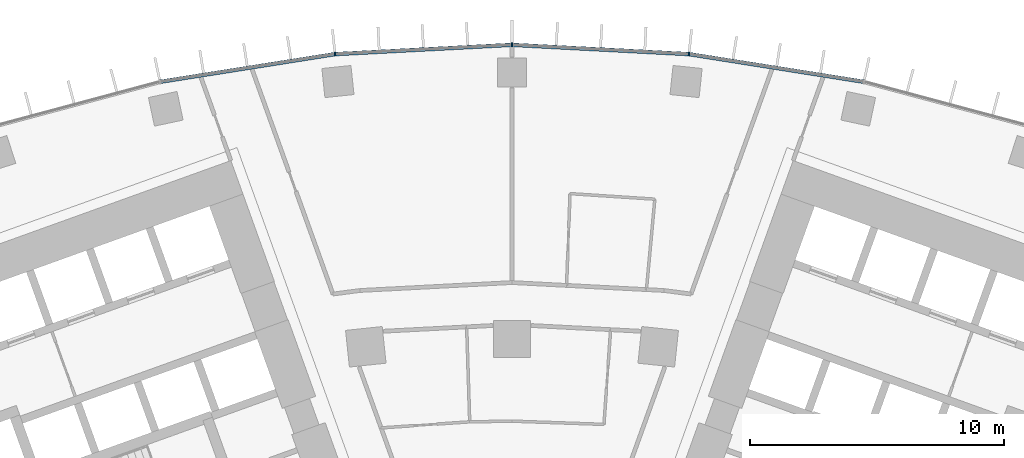
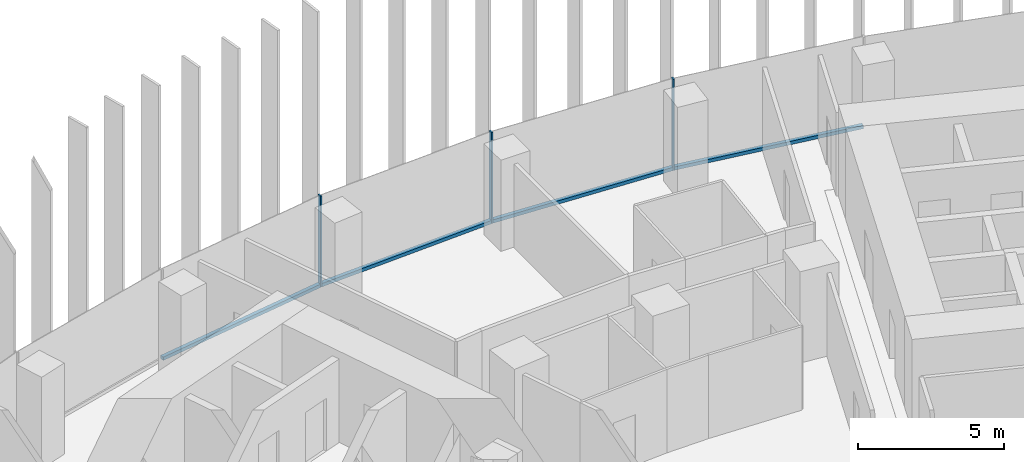
# One storey, part 6 of 21: 7 members, 1 element without a shape of its own.
"""IFC4 building model written with IfcOpenShell, lengths in metres."""

from ifc_helpers import new_model, si_unit, direction, frame, origin, origin_2d, place, context, subcontext, project, spatial, rectangle, extrude, material, layer, layer_set, material_profile, profile_set, type_object, element, aggregate, save


model = new_model("IFC4")

# Units and contexts
model_context = context("Model", 3, precision=1e-05, world=origin(), true_north=direction((0.0, 1.0)))
body_context = subcontext(model_context, "Body", "Model", "MODEL_VIEW")
ifc_project = project(units=[si_unit("LENGTHUNIT", "METRE"), si_unit("AREAUNIT", "SQUARE_METRE"), si_unit("VOLUMEUNIT", "CUBIC_METRE"), si_unit("PLANEANGLEUNIT", "RADIAN"), si_unit("MASSUNIT", "GRAM", prefix="KILO")], contexts=[model_context])

# Site, building, storey
site_placement = place(None, origin())
site = spatial("IfcSite", under=ifc_project, at=site_placement, CompositionType="ELEMENT")
building_placement = place(site_placement, origin())
building = spatial("IfcBuilding", under=site, at=building_placement, Name="Stone Belt Terrace Tower", CompositionType="ELEMENT")
storey_placement = place(building_placement, frame((0.0, 0.0, 87.0)))
storey = spatial("IfcBuildingStorey", under=building, at=storey_placement, Name="L20", CompositionType="ELEMENT", Elevation=87.0)

# Curtain wall, members
ifc_material = material(Name="Aluminium 6063-T6 anodised frame", Category="aluminium")
ifc_layer = layer(ifc_material, 0.14990234375)
ifc_layer_set = layer_set([ifc_layer], Name="CW-A unitised convex-face curtain wall")
curtain_wall_type = type_object("IfcCurtainWallType", Name="CW-A unitised convex-face curtain wall", PredefinedType="NOTDEFINED", material=ifc_layer_set)
curtain_wall_placement = place(storey_placement, origin())
curtain_wall = element("IfcCurtainWall", 1, at=curtain_wall_placement, inside=storey, type_object=curtain_wall_type, Name="CW-A convex face L20", PredefinedType="NOTDEFINED")
ifc_material_profile_1 = material_profile(ifc_material, rectangle(XDim=0.14990234375, YDim=0.06005859375, at=origin_2d()), Name="Aluminium 6063-T6 60x150")
ifc_profile_set_1 = profile_set([ifc_material_profile_1], Name="Aluminium 6063-T6 anodised frame")
member_type_1 = type_object("IfcMemberType", Name="CW-A mullion 60 x 150", PredefinedType="MULLION", material=ifc_profile_set_1)
member_1_placement = place(storey_placement, frame((6.958984375, 66.21044921875, 0.0), z_axis=(0.0, 0.0, 1.0), x_axis=(-0.104528463268, -0.994521895368, 0.0)))
member_1 = element("IfcMember", 2, at=member_1_placement, type_object=member_type_1, Name="CW-A mullion 9", PredefinedType="MULLION", context=body_context, shape_type="SweptSolid", body=[
    extrude(rectangle(XDim=0.14990234375, YDim=0.06005859375, at=origin_2d()), origin(), (0.0, 0.0, 1.0), 3.800048828125),
])
member_2_placement = place(storey_placement, frame((0.0, 66.5751953125, 0.0), z_axis=(0.0, 0.0, 1.0), x_axis=(0.0, -1.0, 0.0)))
member_2 = element("IfcMember", 3, at=member_2_placement, type_object=member_type_1, Name="CW-A mullion 10", PredefinedType="MULLION", context=body_context, shape_type="SweptSolid", body=[
    extrude(rectangle(XDim=0.14990234375, YDim=0.06005859375, at=origin_2d()), origin(), (0.0, 0.0, 1.0), 3.800048828125),
])
member_3_placement = place(storey_placement, frame((-6.958984375, 66.21044921875, 0.0), z_axis=(0.0, 0.0, 1.0), x_axis=(0.104528463268, -0.994521895368, 0.0)))
member_3 = element("IfcMember", 4, at=member_3_placement, type_object=member_type_1, Name="CW-A mullion 11", PredefinedType="MULLION", context=body_context, shape_type="SweptSolid", body=[
    extrude(rectangle(XDim=0.14990234375, YDim=0.06005859375, at=origin_2d()), origin(), (0.0, 0.0, 1.0), 3.800048828125),
])
ifc_material_profile_2 = material_profile(ifc_material, rectangle(XDim=0.14990234375, YDim=0.139892578125, at=origin_2d()), Name="Aluminium 6063-T6 150x140")
ifc_profile_set_2 = profile_set([ifc_material_profile_2], Name="Aluminium 6063-T6 anodised frame")
member_type_2 = type_object("IfcMemberType", Name="CW-A transom 140 x 150", PredefinedType="USERDEFINED", material=ifc_profile_set_2)
member_4_placement = place(storey_placement, frame((13.808349609375, 65.12548828125, 0.070068359375), z_axis=(-0.987687120531, 0.156442168027, 0.0), x_axis=(-0.156442168027, -0.987687120531, 0.0)))
member_4 = element("IfcMember", 5, at=member_4_placement, type_object=member_type_2, Name="CW-A transom 8.1", ObjectType="TRANSOM", PredefinedType="USERDEFINED", context=body_context, shape_type="SweptSolid", body=[
    extrude(rectangle(XDim=0.14990234375, YDim=0.139892578125, at=origin_2d()), origin(), (0.0, 0.0, 1.0), 6.90087890625),
])
member_5_placement = place(storey_placement, frame((6.925048828125, 66.212158203125, 0.070068359375), z_axis=(-0.998630019135, 0.052326712899, 0.0), x_axis=(-0.052326712899, -0.998630019135, 0.0)))
member_5 = element("IfcMember", 6, at=member_5_placement, type_object=member_type_2, Name="CW-A transom 9.1", ObjectType="TRANSOM", PredefinedType="USERDEFINED", context=body_context, shape_type="SweptSolid", body=[
    extrude(rectangle(XDim=0.14990234375, YDim=0.139892578125, at=origin_2d()), origin(), (0.0, 0.0, 1.0), 6.900634765625),
])
member_6_placement = place(storey_placement, frame((-0.033935546875, 66.5732421875, 0.070068359375), z_axis=(-0.998630019135, -0.052326712899, 0.0), x_axis=(0.052326712899, -0.998630019135, 0.0)))
member_6 = element("IfcMember", 7, at=member_6_placement, type_object=member_type_2, Name="CW-A transom 10.1", ObjectType="TRANSOM", PredefinedType="USERDEFINED", context=body_context, shape_type="SweptSolid", body=[
    extrude(rectangle(XDim=0.14990234375, YDim=0.139892578125, at=origin_2d()), origin(), (0.0, 0.0, 1.0), 6.900634765625),
])
member_7_placement = place(storey_placement, frame((-6.992431640625, 66.205078125, 0.070068359375), z_axis=(-0.987687120531, -0.156442168027, 0.0), x_axis=(0.156442168027, -0.987687120531, 0.0)))
member_7 = element("IfcMember", 8, at=member_7_placement, type_object=member_type_2, Name="CW-A transom 11.1", ObjectType="TRANSOM", PredefinedType="USERDEFINED", context=body_context, shape_type="SweptSolid", body=[
    extrude(rectangle(XDim=0.14990234375, YDim=0.139892578125, at=origin_2d()), origin(), (0.0, 0.0, 1.0), 6.90087890625),
])
aggregate(curtain_wall, [member_1, member_2, member_3, member_4, member_5, member_6, member_7])

save(model, "model.ifc")
